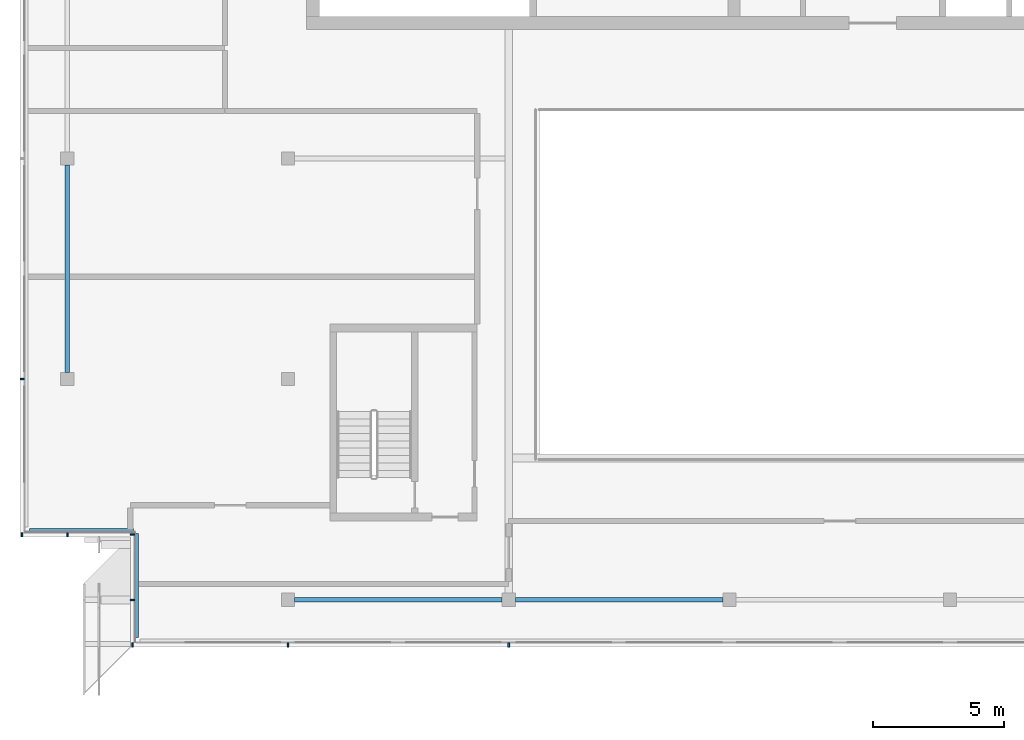
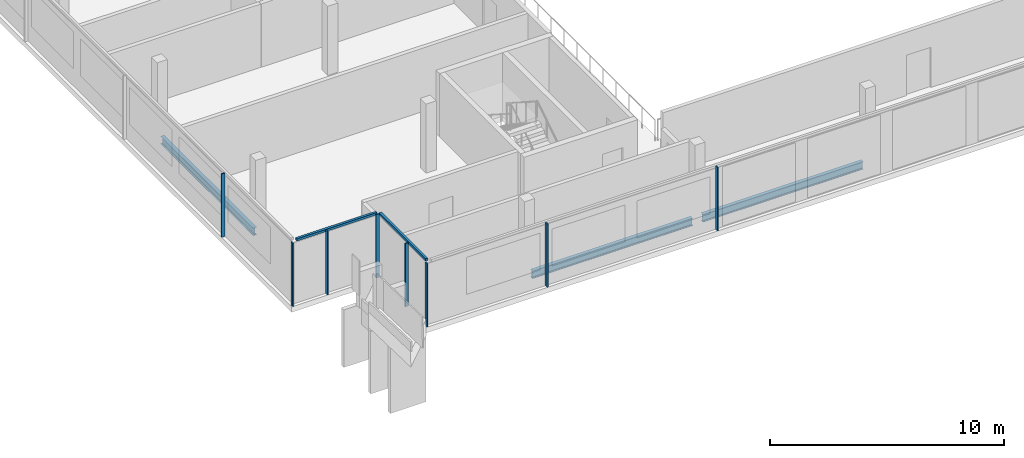
# One storey, part 2 of 19: 10 members, 3 beams, 4 elements without a shape of their own.
"""IFC4 building model written with IfcOpenShell, lengths in metres."""

import ifcopenshell
import ifcopenshell.guid

model = None  # the IFC model being written
_history = None  # IfcOwnerHistory: only IFC2X3 demands one
_inside = {}  # id of a spatial element -> (the spatial element, [elements in it])
_under = {}  # id of a project, library or spatial element -> (it, [spatial elements below it])
_declared = {}  # id of a project -> (the project, [libraries it declares])
_typed = {}  # id of a type object -> (the type object, [elements of that type])
_made_of = {}  # id of a material, layer set ... -> (it, [elements and type objects made of it])


def new_model(schema):
    """Start an empty IFC model of exactly this schema.

    Asked for "IFC4X3", IfcOpenShell would pick the latest addendum, in which some entities
    have other attributes; the version numbers below select the first issue.
    IFC2X3 requires an IfcOwnerHistory on every rooted entity: one is made here for all.
    """
    global model, _history
    if schema == "IFC4X3":
        model = ifcopenshell.file(schema_version=(4, 3, 0, 0))
    else:
        model = ifcopenshell.file(schema=schema)
    _inside.clear()
    _under.clear()
    _declared.clear()
    _typed.clear()
    _made_of.clear()
    _history = None
    if model.schema == "IFC2X3":
        org = make("IfcOrganization", Name="unknown")
        user = make(
            "IfcPersonAndOrganization",
            ThePerson=make("IfcPerson", FamilyName="unknown"),
            TheOrganization=org,
        )
        app = make(
            "IfcApplication",
            ApplicationDeveloper=org,
            Version="unknown",
            ApplicationFullName="unknown",
            ApplicationIdentifier="unknown",
        )
        _history = make(
            "IfcOwnerHistory",
            OwningUser=user,
            OwningApplication=app,
            ChangeAction="ADDED",
            CreationDate=0,
        )
    return model


def make(cls, **values):
    """One entity of the class cls with the attributes given. An attribute that is None is left unset."""
    return model.create_entity(
        cls, **{name: value for name, value in values.items() if value is not None}
    )


def rooted(cls, **values):
    """An entity with a GlobalId (a new one), such as an element, a storey or a relation."""
    return make(cls, GlobalId=ifcopenshell.guid.new(), OwnerHistory=_history, **values)


def si_unit(unit_type, name, prefix=None):
    """IfcSIUnit, for example si_unit("LENGTHUNIT", "METRE", prefix="MILLI")."""
    return make("IfcSIUnit", UnitType=unit_type, Prefix=prefix, Name=name)


def assignment(units):
    """IfcUnitAssignment: the units of a project."""
    return None if units is None else make("IfcUnitAssignment", Units=units)


def point(xyz):
    """IfcCartesianPoint."""
    return None if xyz is None else make("IfcCartesianPoint", Coordinates=xyz)


def direction(xyz):
    """IfcDirection."""
    return None if xyz is None else make("IfcDirection", DirectionRatios=xyz)


def frame(location, z_axis=None, x_axis=None):
    """IfcAxis2Placement3D, a coordinate frame: its origin and axes. An axis left out is left unset."""
    return make(
        "IfcAxis2Placement3D",
        Location=point(location),
        Axis=direction(z_axis),
        RefDirection=direction(x_axis),
    )


def frame_2d(location, x_axis=None):
    """IfcAxis2Placement2D, a coordinate frame in the plane: its origin and x axis."""
    return make(
        "IfcAxis2Placement2D", Location=point(location), RefDirection=direction(x_axis)
    )


def origin():
    """The frame at (0, 0, 0) with its axes left unset."""
    return frame((0.0, 0.0, 0.0))


def origin_2d():
    """The frame at (0, 0) in the plane with its x axis left unset."""
    return frame_2d((0.0, 0.0))


def place(relative_to, where):
    """IfcLocalPlacement: puts the frame where relative to a parent placement (None: the world)."""
    return make(
        "IfcLocalPlacement", PlacementRelTo=relative_to, RelativePlacement=where
    )


def context(
    kind, dimensions, precision=None, world=None, true_north=None, identifier=None
):
    """IfcGeometricRepresentationContext, for example the 3D "Model" context."""
    return make(
        "IfcGeometricRepresentationContext",
        ContextIdentifier=identifier,
        ContextType=kind,
        CoordinateSpaceDimension=dimensions,
        Precision=precision,
        WorldCoordinateSystem=world,
        TrueNorth=true_north,
    )


def subcontext(parent, identifier, kind, view, scale=None):
    """IfcGeometricRepresentationSubContext, for example "Body" below "Model"."""
    return make(
        "IfcGeometricRepresentationSubContext",
        ContextIdentifier=identifier,
        ContextType=kind,
        ParentContext=parent,
        TargetScale=scale,
        TargetView=view,
    )


def project(units=None, contexts=None):
    """IfcProject with its units and contexts."""
    return rooted(
        "IfcProject",
        Name="project",
        RepresentationContexts=contexts,
        UnitsInContext=assignment(units),
    )


def spatial(cls, under=None, at=None, **own):
    """A site, building, storey or space (cls), placed at a placement, below another one or the project."""
    s = rooted(cls, ObjectPlacement=at, **own)
    if under is not None:
        _under.setdefault(under.id(), (under, []))[1].append(s)
    return s


def profile(cls, at=None, kind="AREA", **sizes):
    """A parametric profile (cls). Its sizes go by their IFC names, for example OverallWidth=200.0."""
    return make(cls, ProfileType=kind, Position=at, **sizes)


def rectangle(**sizes):
    """IfcRectangleProfileDef."""
    return profile("IfcRectangleProfileDef", **sizes)


def i_section(**sizes):
    """IfcIShapeProfileDef."""
    return profile("IfcIShapeProfileDef", **sizes)


def extrude(swept, where, along, depth):
    """IfcExtrudedAreaSolid: the profile swept, set in the frame where, extruded along a direction by depth."""
    return make(
        "IfcExtrudedAreaSolid",
        SweptArea=swept,
        Position=where,
        ExtrudedDirection=direction(along),
        Depth=depth,
    )


def shape(context_of_items, identifier, shape_type, items):
    """IfcShapeRepresentation: the items that make up one representation, for example the "Body"."""
    return make(
        "IfcShapeRepresentation",
        ContextOfItems=context_of_items,
        RepresentationIdentifier=identifier,
        RepresentationType=shape_type,
        Items=items,
    )


def material(Name=None, Category=None):
    """IfcMaterial."""
    return make("IfcMaterial", Name=Name, Category=Category)


def material_profile(
    of_material, cross_section, Name=None, Category=None, Priority=None
):
    """IfcMaterialProfile: a cross section and its material."""
    return make(
        "IfcMaterialProfile",
        Name=Name,
        Material=of_material,
        Profile=cross_section,
        Priority=Priority,
        Category=Category,
    )


def profile_set(profiles, Name=None, composite=None):
    """IfcMaterialProfileSet."""
    return make(
        "IfcMaterialProfileSet",
        Name=Name,
        MaterialProfiles=profiles,
        CompositeProfile=composite,
    )


def made_of(thing, what):
    """Note that an element or type object is made of a material, layer set ...; save() writes the relation."""
    if what is not None:
        _made_of.setdefault(what.id(), (what, []))[1].append(thing)
    return thing


def type_object(cls, material=None, **own):
    """A type object (cls), such as IfcWallType, which elements share."""
    return made_of(rooted(cls, **own), material)


def element(
    cls,
    number,
    at=None,
    inside=None,
    cuts=None,
    type_object=None,
    material=None,
    context=None,
    identifier="Body",
    shape_type=None,
    held_by="IfcProductDefinitionShape",
    body=None,
    shapes=None,
    **own,
):
    """One element of the class cls, such as IfcWall. Its Tag is "e" and its number.

    at: its placement. inside: the storey or other place that contains it. cuts: it is an
    opening in that element (IfcRelVoidsElement). A single representation is given by context,
    identifier, shape_type and body (its items); several are given by shapes. held_by: the class
    of the entity that holds the representations. save() writes the other relations.
    """
    e = rooted(cls, Tag="e%d" % number, ObjectPlacement=at, **own)
    if body is not None:
        shapes = [shape(context, identifier, shape_type, body)]
    if shapes is not None:
        e.Representation = make(held_by, Representations=shapes)
    if inside is not None:
        _inside.setdefault(inside.id(), (inside, []))[1].append(e)
    if cuts is not None:
        rooted(
            "IfcRelVoidsElement", RelatingBuildingElement=cuts, RelatedOpeningElement=e
        )
    if type_object is not None:
        _typed.setdefault(type_object.id(), (type_object, []))[1].append(e)
    return made_of(e, material)


def aggregate(whole, parts):
    """IfcRelAggregates: a whole, such as a stair, and the parts it consists of."""
    return rooted("IfcRelAggregates", RelatingObject=whole, RelatedObjects=parts)


def save(model, path):
    """Write the relations noted so far, then the file.

    IfcRelAggregates (storeys below a building ...), IfcRelContainedInSpatialStructure (elements
    in a storey), IfcRelDefinesByType, IfcRelAssociatesMaterial and IfcRelDeclares: one each for
    every whole, place, type object, material and project.
    """
    for whole, parts in _under.values():
        aggregate(whole, parts)
    for where, things in _inside.values():
        rooted(
            "IfcRelContainedInSpatialStructure",
            RelatedElements=things,
            RelatingStructure=where,
        )
    for kind, things in _typed.values():
        rooted("IfcRelDefinesByType", RelatedObjects=things, RelatingType=kind)
    for what, things in _made_of.values():
        rooted("IfcRelAssociatesMaterial", RelatedObjects=things, RelatingMaterial=what)
    for by, libraries in _declared.values():
        rooted("IfcRelDeclares", RelatingContext=by, RelatedDefinitions=libraries)
    model.write(path)


model = new_model("IFC4")

# Units and contexts
model_context = context("Model", 3, precision=1e-05, world=origin(), true_north=direction((0.0, 1.0)))
body_context = subcontext(model_context, "Body", "Model", "MODEL_VIEW")
ifc_project = project(units=[si_unit("LENGTHUNIT", "METRE"), si_unit("AREAUNIT", "SQUARE_METRE"), si_unit("VOLUMEUNIT", "CUBIC_METRE"), si_unit("PLANEANGLEUNIT", "RADIAN"), si_unit("MASSUNIT", "GRAM", prefix="KILO")], contexts=[model_context])

# Site, building, storey
site_placement = place(None, origin())
site = spatial("IfcSite", under=ifc_project, at=site_placement, CompositionType="ELEMENT")
building_placement = place(site_placement, origin())
building = spatial("IfcBuilding", under=site, at=building_placement, Name="Saffron Gate Tower", CompositionType="ELEMENT")
storey_placement = place(building_placement, frame((0.0, 0.0, 306.75)))
storey = spatial("IfcBuildingStorey", under=building, at=storey_placement, Name="L75", CompositionType="ELEMENT", Elevation=306.75)

# Beams
ifc_material_1 = material(Name="Structural steel S355", Category="steel")
ifc_material_profile_1 = material_profile(ifc_material_1, i_section(OverallWidth=0.179931640625, OverallDepth=0.39990234375, WebThickness=0.008544921875, FlangeThickness=0.013427734375, FilletRadius=0.02099609375, at=origin_2d()))
ifc_profile_set_1 = profile_set([ifc_material_profile_1], Name="Structural steel S355")
beam_type = type_object("IfcBeamType", Name="B5 IPE 400", PredefinedType="SPANDREL", material=ifc_profile_set_1)
for number, where, z_axis, x_axis, name in (
    (1, (58.199951171875, 48.85009765625, -0.47998046875), (0.0, 1.0, 0.0), (-1.0, 0.0, 0.0), "B5 SPANDREL BEAM"),
    (2, (66.85009765625, 40.199951171875, -0.47998046875), (1.0, 0.0, 0.0), (0.0, 1.0, 0.0), "B5 SPANDREL BEAM"),
    (3, (75.25, 40.199951171875, -0.47998046875), (1.0, 0.0, 0.0), (0.0, 1.0, 0.0), "B5 SPANDREL BEAM"),
):
    element("IfcBeam", number, at=place(storey_placement, frame(where, z_axis=z_axis, x_axis=x_axis)), inside=storey, type_object=beam_type, Name=name, PredefinedType="SPANDREL", context=body_context, shape_type="SweptSolid", body=[
        extrude(i_section(OverallWidth=0.179931640625, OverallDepth=0.39990234375, WebThickness=0.008544921875, FlangeThickness=0.013427734375, FilletRadius=0.02099609375, at=origin_2d()), origin(), (0.0, 0.0, 1.0), 7.89990234375),
    ])

# Curtain wall, members
ifc_material_2 = material(Name="Aluminium, bronze anodised", Category="aluminium")
curtain_wall_type_1 = type_object("IfcCurtainWallType", Name="CWS1 curtain wall front facade", PredefinedType="NOTDEFINED", material=ifc_material_2)
curtain_wall_1_placement = place(storey_placement, origin())
curtain_wall_1 = element("IfcCurtainWall", 4, at=curtain_wall_1_placement, inside=storey, type_object=curtain_wall_type_1, Name="CWS1 run 1", PredefinedType="NOTDEFINED")
ifc_material_profile_2 = material_profile(ifc_material_2, rectangle(XDim=0.159912109375, YDim=0.06005859375, at=origin_2d()))
ifc_profile_set_2 = profile_set([ifc_material_profile_2], Name="Aluminium, bronze anodised")
member_type_1 = type_object("IfcMemberType", Name="CWS1 mullion 60x160", PredefinedType="MULLION", material=ifc_profile_set_2)
member_1_placement = place(storey_placement, frame((60.679931640625, 38.47998046875, 0.0), z_axis=(0.0, 0.0, 1.0), x_axis=(0.0, 1.0, 0.0)))
member_1 = element("IfcMember", 5, at=member_1_placement, type_object=member_type_1, Name="CWS1 mullion 1", PredefinedType="MULLION", context=body_context, shape_type="SweptSolid", body=[
    extrude(rectangle(XDim=0.159912109375, YDim=0.06005859375, at=origin_2d()), origin(), (0.0, 0.0, 1.0), 3.300048828125),
])
member_2_placement = place(storey_placement, frame((66.60009765625, 38.47998046875, 0.0), z_axis=(0.0, 0.0, 1.0), x_axis=(0.0, 1.0, 0.0)))
member_2 = element("IfcMember", 6, at=member_2_placement, type_object=member_type_1, Name="CWS1 mullion 2", PredefinedType="MULLION", context=body_context, shape_type="SweptSolid", body=[
    extrude(rectangle(XDim=0.159912109375, YDim=0.06005859375, at=origin_2d()), origin(), (0.0, 0.0, 1.0), 3.300048828125),
])
member_3_placement = place(storey_placement, frame((75.0, 38.47998046875, 0.0), z_axis=(0.0, 0.0, 1.0), x_axis=(0.0, 1.0, 0.0)))
member_3 = element("IfcMember", 7, at=member_3_placement, type_object=member_type_1, Name="CWS1 mullion 3", PredefinedType="MULLION", context=body_context, shape_type="SweptSolid", body=[
    extrude(rectangle(XDim=0.159912109375, YDim=0.06005859375, at=origin_2d()), origin(), (0.0, 0.0, 1.0), 3.300048828125),
])
aggregate(curtain_wall_1, [member_1, member_2, member_3])

# Curtain wall, member
curtain_wall_type_2 = type_object("IfcCurtainWallType", Name="CWS2 curtain wall side facades", PredefinedType="NOTDEFINED", material=ifc_material_2)
curtain_wall_2_placement = place(storey_placement, origin())
curtain_wall_2 = element("IfcCurtainWall", 8, at=curtain_wall_2_placement, inside=storey, type_object=curtain_wall_type_2, Name="CWS2 run 10", PredefinedType="NOTDEFINED")
ifc_material_profile_3 = material_profile(ifc_material_2, rectangle(XDim=0.159912109375, YDim=0.06005859375, at=origin_2d()))
ifc_profile_set_3 = profile_set([ifc_material_profile_3], Name="Aluminium, bronze anodised")
member_type_2 = type_object("IfcMemberType", Name="CWS2 mullion 60x160", PredefinedType="MULLION", material=ifc_profile_set_3)
member_4_placement = place(storey_placement, frame((56.47998046875, 48.60009765625, 0.0), z_axis=(0.0, 0.0, 1.0), x_axis=(1.0, 0.0, 0.0)))
member_4 = element("IfcMember", 9, at=member_4_placement, type_object=member_type_2, Name="CWS2 mullion 4", PredefinedType="MULLION", context=body_context, shape_type="SweptSolid", body=[
    extrude(rectangle(XDim=0.159912109375, YDim=0.06005859375, at=origin_2d()), origin(), (0.0, 0.0, 1.0), 3.300048828125),
])
aggregate(curtain_wall_2, [member_4])

curtain_wall_type_3 = type_object("IfcCurtainWallType", Name="CWS4 curtain wall corner returns", PredefinedType="NOTDEFINED", material=ifc_material_2)
curtain_wall_3_placement = place(storey_placement, origin())
curtain_wall_3 = element("IfcCurtainWall", 10, at=curtain_wall_3_placement, inside=storey, type_object=curtain_wall_type_3, Name="CWS4 run 11", PredefinedType="NOTDEFINED")
ifc_material_profile_4 = material_profile(ifc_material_2, rectangle(XDim=0.1201171875, YDim=0.1201171875, at=origin_2d()))
ifc_profile_set_4 = profile_set([ifc_material_profile_4], Name="Aluminium, bronze anodised")
member_type_3 = type_object("IfcMemberType", Name="CWS4 head transom", PredefinedType="USERDEFINED", material=ifc_profile_set_4)
member_5_placement = place(storey_placement, frame((56.76806640625, 42.847900390625, 3.239990234375), z_axis=(1.0, 0.0, 0.0), x_axis=(0.0, 1.0, 0.0)))
member_5 = element("IfcMember", 11, at=member_5_placement, type_object=member_type_3, Name="CWS4 head transom", ObjectType="TRANSOM", PredefinedType="USERDEFINED", context=body_context, shape_type="SweptSolid", body=[
    extrude(rectangle(XDim=0.1201171875, YDim=0.1201171875, at=origin_2d()), origin(), (0.0, 0.0, 1.0), 3.9599609375),
])

curtain_wall_4_placement = place(storey_placement, origin())
curtain_wall_4 = element("IfcCurtainWall", 12, at=curtain_wall_4_placement, inside=storey, type_object=curtain_wall_type_3, Name="CWS4 run 12", PredefinedType="NOTDEFINED")
member_6_placement = place(storey_placement, frame((60.847900390625, 42.72802734375, 3.239990234375), z_axis=(0.0, -1.0, 0.0), x_axis=(1.0, 0.0, 0.0)))
member_6 = element("IfcMember", 13, at=member_6_placement, type_object=member_type_3, Name="CWS4 head transom", ObjectType="TRANSOM", PredefinedType="USERDEFINED", context=body_context, shape_type="SweptSolid", body=[
    extrude(rectangle(XDim=0.1201171875, YDim=0.1201171875, at=origin_2d()), origin(), (0.0, 0.0, 1.0), 3.9599609375),
])

# Member
ifc_material_profile_5 = material_profile(ifc_material_2, rectangle(XDim=0.159912109375, YDim=0.06005859375, at=origin_2d()))
ifc_profile_set_5 = profile_set([ifc_material_profile_5], Name="Aluminium, bronze anodised")
member_type_4 = type_object("IfcMemberType", Name="CWS4 mullion 60x160", PredefinedType="MULLION", material=ifc_profile_set_5)
member_7_placement = place(storey_placement, frame((56.47998046875, 42.679931640625, 0.0), z_axis=(0.0, 0.0, 1.0), x_axis=(0.0, 1.0, 0.0)))
member_7 = element("IfcMember", 14, at=member_7_placement, type_object=member_type_4, Name="CWS4 mullion 1", PredefinedType="MULLION", context=body_context, shape_type="SweptSolid", body=[
    extrude(rectangle(XDim=0.159912109375, YDim=0.06005859375, at=origin_2d()), origin(), (0.0, 0.0, 1.0), 3.300048828125),
])

member_8_placement = place(storey_placement, frame((58.199951171875, 42.679931640625, 0.0), z_axis=(0.0, 0.0, 1.0), x_axis=(0.0, 1.0, 0.0)))
member_8 = element("IfcMember", 15, at=member_8_placement, type_object=member_type_4, Name="CWS4 mullion 2", PredefinedType="MULLION", context=body_context, shape_type="SweptSolid", body=[
    extrude(rectangle(XDim=0.159912109375, YDim=0.06005859375, at=origin_2d()), origin(), (0.0, 0.0, 1.0), 3.300048828125),
])

aggregate(curtain_wall_3, [member_7, member_8, member_5])

member_9_placement = place(storey_placement, frame((60.679931640625, 42.679931640625, 0.0), z_axis=(0.0, 0.0, 1.0), x_axis=(1.0, 0.0, 0.0)))
member_9 = element("IfcMember", 16, at=member_9_placement, type_object=member_type_4, Name="CWS4 mullion 1", PredefinedType="MULLION", context=body_context, shape_type="SweptSolid", body=[
    extrude(rectangle(XDim=0.159912109375, YDim=0.06005859375, at=origin_2d()), origin(), (0.0, 0.0, 1.0), 3.300048828125),
])

member_10_placement = place(storey_placement, frame((60.679931640625, 40.199951171875, 0.0), z_axis=(0.0, 0.0, 1.0), x_axis=(1.0, 0.0, 0.0)))
member_10 = element("IfcMember", 17, at=member_10_placement, type_object=member_type_4, Name="CWS4 mullion 2", PredefinedType="MULLION", context=body_context, shape_type="SweptSolid", body=[
    extrude(rectangle(XDim=0.159912109375, YDim=0.06005859375, at=origin_2d()), origin(), (0.0, 0.0, 1.0), 3.300048828125),
])

aggregate(curtain_wall_4, [member_9, member_10, member_6])

save(model, "model.ifc")
